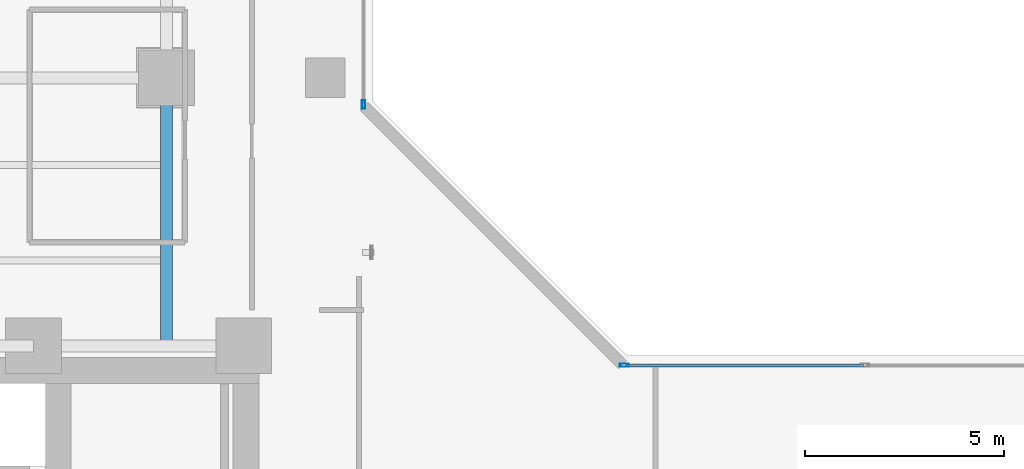
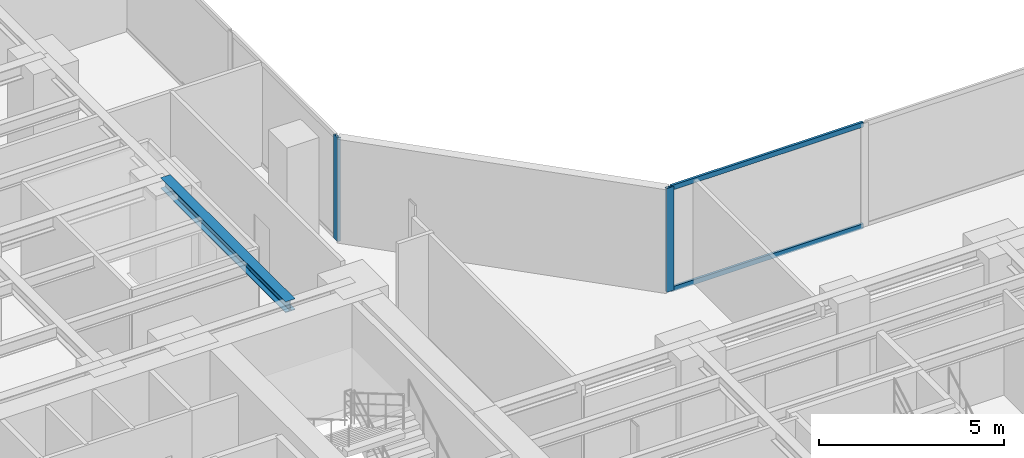
# One storey, part 9 of 25: 4 members, 1 beam, 2 elements without a shape of their own.
"""IFC4 building model written with IfcOpenShell, lengths in metres."""

import ifcopenshell
import ifcopenshell.guid

model = None  # the IFC model being written
_history = None  # IfcOwnerHistory: only IFC2X3 demands one
_inside = {}  # id of a spatial element -> (the spatial element, [elements in it])
_under = {}  # id of a project, library or spatial element -> (it, [spatial elements below it])
_declared = {}  # id of a project -> (the project, [libraries it declares])
_typed = {}  # id of a type object -> (the type object, [elements of that type])
_made_of = {}  # id of a material, layer set ... -> (it, [elements and type objects made of it])


def new_model(schema):
    """Start an empty IFC model of exactly this schema.

    Asked for "IFC4X3", IfcOpenShell would pick the latest addendum, in which some entities
    have other attributes; the version numbers below select the first issue.
    IFC2X3 requires an IfcOwnerHistory on every rooted entity: one is made here for all.
    """
    global model, _history
    if schema == "IFC4X3":
        model = ifcopenshell.file(schema_version=(4, 3, 0, 0))
    else:
        model = ifcopenshell.file(schema=schema)
    _inside.clear()
    _under.clear()
    _declared.clear()
    _typed.clear()
    _made_of.clear()
    _history = None
    if model.schema == "IFC2X3":
        org = make("IfcOrganization", Name="unknown")
        user = make(
            "IfcPersonAndOrganization",
            ThePerson=make("IfcPerson", FamilyName="unknown"),
            TheOrganization=org,
        )
        app = make(
            "IfcApplication",
            ApplicationDeveloper=org,
            Version="unknown",
            ApplicationFullName="unknown",
            ApplicationIdentifier="unknown",
        )
        _history = make(
            "IfcOwnerHistory",
            OwningUser=user,
            OwningApplication=app,
            ChangeAction="ADDED",
            CreationDate=0,
        )
    return model


def make(cls, **values):
    """One entity of the class cls with the attributes given. An attribute that is None is left unset."""
    return model.create_entity(
        cls, **{name: value for name, value in values.items() if value is not None}
    )


def rooted(cls, **values):
    """An entity with a GlobalId (a new one), such as an element, a storey or a relation."""
    return make(cls, GlobalId=ifcopenshell.guid.new(), OwnerHistory=_history, **values)


def si_unit(unit_type, name, prefix=None):
    """IfcSIUnit, for example si_unit("LENGTHUNIT", "METRE", prefix="MILLI")."""
    return make("IfcSIUnit", UnitType=unit_type, Prefix=prefix, Name=name)


def assignment(units):
    """IfcUnitAssignment: the units of a project."""
    return None if units is None else make("IfcUnitAssignment", Units=units)


def point(xyz):
    """IfcCartesianPoint."""
    return None if xyz is None else make("IfcCartesianPoint", Coordinates=xyz)


def direction(xyz):
    """IfcDirection."""
    return None if xyz is None else make("IfcDirection", DirectionRatios=xyz)


def frame(location, z_axis=None, x_axis=None):
    """IfcAxis2Placement3D, a coordinate frame: its origin and axes. An axis left out is left unset."""
    return make(
        "IfcAxis2Placement3D",
        Location=point(location),
        Axis=direction(z_axis),
        RefDirection=direction(x_axis),
    )


def frame_2d(location, x_axis=None):
    """IfcAxis2Placement2D, a coordinate frame in the plane: its origin and x axis."""
    return make(
        "IfcAxis2Placement2D", Location=point(location), RefDirection=direction(x_axis)
    )


def origin():
    """The frame at (0, 0, 0) with its axes left unset."""
    return frame((0.0, 0.0, 0.0))


def origin_with_axes():
    """The frame at (0, 0, 0) with the z axis (0, 0, 1) and the x axis (1, 0, 0) written out."""
    return frame((0.0, 0.0, 0.0), z_axis=(0.0, 0.0, 1.0), x_axis=(1.0, 0.0, 0.0))


def origin_2d():
    """The frame at (0, 0) in the plane with its x axis left unset."""
    return frame_2d((0.0, 0.0))


def place(relative_to, where):
    """IfcLocalPlacement: puts the frame where relative to a parent placement (None: the world)."""
    return make(
        "IfcLocalPlacement", PlacementRelTo=relative_to, RelativePlacement=where
    )


def context(
    kind, dimensions, precision=None, world=None, true_north=None, identifier=None
):
    """IfcGeometricRepresentationContext, for example the 3D "Model" context."""
    return make(
        "IfcGeometricRepresentationContext",
        ContextIdentifier=identifier,
        ContextType=kind,
        CoordinateSpaceDimension=dimensions,
        Precision=precision,
        WorldCoordinateSystem=world,
        TrueNorth=true_north,
    )


def subcontext(parent, identifier, kind, view, scale=None):
    """IfcGeometricRepresentationSubContext, for example "Body" below "Model"."""
    return make(
        "IfcGeometricRepresentationSubContext",
        ContextIdentifier=identifier,
        ContextType=kind,
        ParentContext=parent,
        TargetScale=scale,
        TargetView=view,
    )


def project(units=None, contexts=None):
    """IfcProject with its units and contexts."""
    return rooted(
        "IfcProject",
        Name="project",
        RepresentationContexts=contexts,
        UnitsInContext=assignment(units),
    )


def spatial(cls, under=None, at=None, **own):
    """A site, building, storey or space (cls), placed at a placement, below another one or the project."""
    s = rooted(cls, ObjectPlacement=at, **own)
    if under is not None:
        _under.setdefault(under.id(), (under, []))[1].append(s)
    return s


def profile(cls, at=None, kind="AREA", **sizes):
    """A parametric profile (cls). Its sizes go by their IFC names, for example OverallWidth=200.0."""
    return make(cls, ProfileType=kind, Position=at, **sizes)


def hollow_rectangle(**sizes):
    """IfcRectangleHollowProfileDef."""
    return profile("IfcRectangleHollowProfileDef", **sizes)


def i_section(**sizes):
    """IfcIShapeProfileDef."""
    return profile("IfcIShapeProfileDef", **sizes)


def extrude(swept, where, along, depth):
    """IfcExtrudedAreaSolid: the profile swept, set in the frame where, extruded along a direction by depth."""
    return make(
        "IfcExtrudedAreaSolid",
        SweptArea=swept,
        Position=where,
        ExtrudedDirection=direction(along),
        Depth=depth,
    )


def shape(context_of_items, identifier, shape_type, items):
    """IfcShapeRepresentation: the items that make up one representation, for example the "Body"."""
    return make(
        "IfcShapeRepresentation",
        ContextOfItems=context_of_items,
        RepresentationIdentifier=identifier,
        RepresentationType=shape_type,
        Items=items,
    )


def source(mapping_origin, context_of_items, identifier, shape_type, items):
    """IfcRepresentationMap: a shape defined once, which mapped items show again and again."""
    return make(
        "IfcRepresentationMap",
        MappingOrigin=mapping_origin,
        MappedRepresentation=shape(context_of_items, identifier, shape_type, items),
    )


def transform(
    local_origin,
    x_axis=None,
    y_axis=None,
    z_axis=None,
    scale=None,
    scale2=None,
    scale3=None,
    uniform=True,
):
    """IfcCartesianTransformationOperator3D, or its non-uniform kind. x_axis, y_axis, z_axis: its Axis1, 2, 3."""
    if uniform:
        return make(
            "IfcCartesianTransformationOperator3D",
            Axis1=direction(x_axis),
            Axis2=direction(y_axis),
            LocalOrigin=point(local_origin),
            Scale=scale,
            Axis3=direction(z_axis),
        )
    return make(
        "IfcCartesianTransformationOperator3DnonUniform",
        Axis1=direction(x_axis),
        Axis2=direction(y_axis),
        LocalOrigin=point(local_origin),
        Scale=scale,
        Axis3=direction(z_axis),
        Scale2=scale2,
        Scale3=scale3,
    )


def mapped(mapping_source, mapping_target):
    """IfcMappedItem: shows the shape of a source again, moved by a transform."""
    return make(
        "IfcMappedItem", MappingSource=mapping_source, MappingTarget=mapping_target
    )


def material(Name=None, Category=None):
    """IfcMaterial."""
    return make("IfcMaterial", Name=Name, Category=Category)


def layer(
    of_material, thickness, ventilated=None, Name=None, Category=None, Priority=None
):
    """IfcMaterialLayer: one layer of a wall or slab, of a material (None: an air gap)."""
    return make(
        "IfcMaterialLayer",
        Material=of_material,
        LayerThickness=thickness,
        IsVentilated=ventilated,
        Name=Name,
        Category=Category,
        Priority=Priority,
    )


def layer_set(layers, Name=None):
    """IfcMaterialLayerSet."""
    return make("IfcMaterialLayerSet", MaterialLayers=layers, LayerSetName=Name)


def material_profile(
    of_material, cross_section, Name=None, Category=None, Priority=None
):
    """IfcMaterialProfile: a cross section and its material."""
    return make(
        "IfcMaterialProfile",
        Name=Name,
        Material=of_material,
        Profile=cross_section,
        Priority=Priority,
        Category=Category,
    )


def profile_set(profiles, Name=None, composite=None):
    """IfcMaterialProfileSet."""
    return make(
        "IfcMaterialProfileSet",
        Name=Name,
        MaterialProfiles=profiles,
        CompositeProfile=composite,
    )


def made_of(thing, what):
    """Note that an element or type object is made of a material, layer set ...; save() writes the relation."""
    if what is not None:
        _made_of.setdefault(what.id(), (what, []))[1].append(thing)
    return thing


def type_object(cls, material=None, **own):
    """A type object (cls), such as IfcWallType, which elements share."""
    return made_of(rooted(cls, **own), material)


def element(
    cls,
    number,
    at=None,
    inside=None,
    cuts=None,
    type_object=None,
    material=None,
    context=None,
    identifier="Body",
    shape_type=None,
    held_by="IfcProductDefinitionShape",
    body=None,
    shapes=None,
    **own,
):
    """One element of the class cls, such as IfcWall. Its Tag is "e" and its number.

    at: its placement. inside: the storey or other place that contains it. cuts: it is an
    opening in that element (IfcRelVoidsElement). A single representation is given by context,
    identifier, shape_type and body (its items); several are given by shapes. held_by: the class
    of the entity that holds the representations. save() writes the other relations.
    """
    e = rooted(cls, Tag="e%d" % number, ObjectPlacement=at, **own)
    if body is not None:
        shapes = [shape(context, identifier, shape_type, body)]
    if shapes is not None:
        e.Representation = make(held_by, Representations=shapes)
    if inside is not None:
        _inside.setdefault(inside.id(), (inside, []))[1].append(e)
    if cuts is not None:
        rooted(
            "IfcRelVoidsElement", RelatingBuildingElement=cuts, RelatedOpeningElement=e
        )
    if type_object is not None:
        _typed.setdefault(type_object.id(), (type_object, []))[1].append(e)
    return made_of(e, material)


def aggregate(whole, parts):
    """IfcRelAggregates: a whole, such as a stair, and the parts it consists of."""
    return rooted("IfcRelAggregates", RelatingObject=whole, RelatedObjects=parts)


def save(model, path):
    """Write the relations noted so far, then the file.

    IfcRelAggregates (storeys below a building ...), IfcRelContainedInSpatialStructure (elements
    in a storey), IfcRelDefinesByType, IfcRelAssociatesMaterial and IfcRelDeclares: one each for
    every whole, place, type object, material and project.
    """
    for whole, parts in _under.values():
        aggregate(whole, parts)
    for where, things in _inside.values():
        rooted(
            "IfcRelContainedInSpatialStructure",
            RelatedElements=things,
            RelatingStructure=where,
        )
    for kind, things in _typed.values():
        rooted("IfcRelDefinesByType", RelatedObjects=things, RelatingType=kind)
    for what, things in _made_of.values():
        rooted("IfcRelAssociatesMaterial", RelatedObjects=things, RelatingMaterial=what)
    for by, libraries in _declared.values():
        rooted("IfcRelDeclares", RelatingContext=by, RelatedDefinitions=libraries)
    model.write(path)


model = new_model("IFC4")

# Units and contexts
model_context = context("Model", 3, precision=1e-05, world=origin(), true_north=direction((0.0, 1.0)))
body_context = subcontext(model_context, "Body", "Model", "MODEL_VIEW")
ifc_project = project(units=[si_unit("LENGTHUNIT", "METRE"), si_unit("AREAUNIT", "SQUARE_METRE"), si_unit("VOLUMEUNIT", "CUBIC_METRE"), si_unit("PLANEANGLEUNIT", "RADIAN"), si_unit("MASSUNIT", "GRAM", prefix="KILO")], contexts=[model_context])

# Site, building, storey
site_placement = place(None, origin())
site = spatial("IfcSite", under=ifc_project, at=site_placement, CompositionType="ELEMENT")
building_placement = place(site_placement, origin())
building = spatial("IfcBuilding", under=site, at=building_placement, Name="Kolvaren Waterfront Exchange", CompositionType="ELEMENT")
storey_placement = place(building_placement, frame((0.0, 0.0, 137.300048828125)))
storey = spatial("IfcBuildingStorey", under=building, at=storey_placement, Name="L35", CompositionType="ELEMENT", Elevation=137.300048828125)

# Beam
ifc_material_1 = material(Name="Steel S355", Category="steel")
ifc_material_profile_1 = material_profile(ifc_material_1, i_section(OverallWidth=0.300048828125, OverallDepth=0.360107421875, WebThickness=0.012451171875, FlangeThickness=0.0224609375, FilletRadius=0.027099609375, at=origin_2d()), Name="HEB360")
ifc_profile_set_1 = profile_set([ifc_material_profile_1], Name="Steel S355")
beam_type = type_object("IfcBeamType", Name="STR-BM-HEB360", PredefinedType="SPANDREL", material=ifc_profile_set_1)
beam_placement = place(storey_placement, frame((18.800048828125, 24.449951171875, 3.239990234375), z_axis=(0.0, 1.0, 0.0), x_axis=(-1.0, 0.0, 0.0)))
element("IfcBeam", 1, at=beam_placement, inside=storey, type_object=beam_type, Name="L35 north-arm edge beam 1", PredefinedType="SPANDREL", context=body_context, shape_type="SweptSolid", body=[
    extrude(i_section(OverallWidth=0.300048828125, OverallDepth=0.360107421875, WebThickness=0.012451171875, FlangeThickness=0.0224609375, FilletRadius=0.027099609375, at=origin_2d()), origin(), (0.0, 0.0, 1.0), 6.75),
])

# Curtain wall, member
ifc_material_2 = material(Name="Anodised bronze aluminium 6063-T6", Category="aluminium")
ifc_layer = layer(ifc_material_2, 0.219970703125, Name="Anodised bronze aluminium 6063-T6")
ifc_layer_set = layer_set([ifc_layer], Name="Anodised bronze aluminium 6063-T6")
curtain_wall_type = type_object("IfcCurtainWallType", Name="ARC-CW-SYS1", PredefinedType="USERDEFINED", material=ifc_layer_set)
curtain_wall_1_placement = place(storey_placement, origin())
curtain_wall_1 = element("IfcCurtainWall", 2, at=curtain_wall_1_placement, inside=storey, type_object=curtain_wall_type, Name="L35 stick curtain wall CW1 (CW-L35-NE)", ObjectType="STICK CURTAIN WALL", PredefinedType="USERDEFINED")
ifc_material_3 = material(Name="Anodised aluminium 6063-T6", Category="aluminium")
ifc_material_profile_2 = material_profile(ifc_material_3, hollow_rectangle(XDim=0.080078125, YDim=0.219970703125, WallThickness=0.0048828125, at=origin_2d()), Name="ALU-MUL-220x80x5")
ifc_profile_set_2 = profile_set([ifc_material_profile_2], Name="Anodised aluminium 6063-T6")
member_type_1 = type_object("IfcMemberType", Name="ARC-CWM-220", PredefinedType="MULLION", material=ifc_profile_set_2)
shared_shape_1 = source(origin_with_axes(), body_context, "Body", "SweptSolid", [
    extrude(hollow_rectangle(XDim=0.080078125, YDim=0.219970703125, WallThickness=0.0048828125, at=origin_2d()), origin(), (0.0, 0.0, 1.0), 3.419921875),
])
member_1_placement = place(storey_placement, frame((23.760009765625, 30.530029296875, 0.0), z_axis=(0.0, 0.0, 1.0), x_axis=(-1.0, 0.0, 0.0)))
member_1 = element("IfcMember", 3, at=member_1_placement, type_object=member_type_1, Name="CW1 mullion 1", PredefinedType="MULLION", context=body_context, shape_type="MappedRepresentation", body=[
    mapped(shared_shape_1, transform((0.0, 0.0, 0.0), x_axis=(1.0, 0.0, 0.0), y_axis=(0.0, 1.0, 0.0), z_axis=(0.0, 0.0, 1.0), scale=1.0)),
])
aggregate(curtain_wall_1, [member_1])

# Curtain wall, members
curtain_wall_2_placement = place(storey_placement, origin())
curtain_wall_2 = element("IfcCurtainWall", 4, at=curtain_wall_2_placement, inside=storey, type_object=curtain_wall_type, Name="L35 stick curtain wall CW1 (CW-L35-EN)", ObjectType="STICK CURTAIN WALL", PredefinedType="USERDEFINED")
member_2_placement = place(storey_placement, frame((30.330078125, 23.9599609375, 0.0), z_axis=(0.0, 0.0, 1.0), x_axis=(0.0, 1.0, 0.0)))
member_2 = element("IfcMember", 5, at=member_2_placement, type_object=member_type_1, Name="CW1 mullion 1", PredefinedType="MULLION", context=body_context, shape_type="MappedRepresentation", body=[
    mapped(shared_shape_1, transform((0.0, 0.0, 0.0), x_axis=(1.0, 0.0, 0.0), y_axis=(0.0, 1.0, 0.0), z_axis=(0.0, 0.0, 1.0), scale=1.0)),
])
ifc_material_profile_3 = material_profile(ifc_material_3, hollow_rectangle(XDim=0.074951171875, YDim=0.159912109375, WallThickness=0.00439453125, at=origin_2d()), Name="ALU-TRN-160x75x4.5")
ifc_profile_set_3 = profile_set([ifc_material_profile_3], Name="Anodised aluminium 6063-T6")
member_type_2 = type_object("IfcMemberType", Name="ARC-CWT-160", PredefinedType="USERDEFINED", material=ifc_profile_set_3)
shared_shape_2 = source(origin_with_axes(), body_context, "Body", "SweptSolid", [
    extrude(hollow_rectangle(XDim=0.074951171875, YDim=0.159912109375, WallThickness=0.00439453125, at=origin_2d()), origin(), (0.0, 0.0, 1.0), 5.982421875),
])
member_3_placement = place(storey_placement, frame((30.3701171875, 23.9599609375, 0.037353515625), z_axis=(1.0, 0.0, 0.0), x_axis=(0.0, 1.0, 0.0)))
member_3 = element("IfcMember", 6, at=member_3_placement, type_object=member_type_2, Name="CW1 transom 1.1", ObjectType="TRANSOM", PredefinedType="USERDEFINED", context=body_context, shape_type="MappedRepresentation", body=[
    mapped(shared_shape_2, transform((0.0, 0.0, 0.0), x_axis=(1.0, 0.0, 0.0), y_axis=(0.0, 1.0, 0.0), z_axis=(0.0, 0.0, 1.0), scale=1.0)),
])
member_4_placement = place(storey_placement, frame((30.3701171875, 23.9599609375, 3.382568359375), z_axis=(1.0, 0.0, 0.0), x_axis=(0.0, 1.0, 0.0)))
member_4 = element("IfcMember", 7, at=member_4_placement, type_object=member_type_2, Name="CW1 transom 1.2", ObjectType="TRANSOM", PredefinedType="USERDEFINED", context=body_context, shape_type="MappedRepresentation", body=[
    mapped(shared_shape_2, transform((0.0, 0.0, 0.0), x_axis=(1.0, 0.0, 0.0), y_axis=(0.0, 1.0, 0.0), z_axis=(0.0, 0.0, 1.0), scale=1.0)),
])
aggregate(curtain_wall_2, [member_2, member_3, member_4])

save(model, "model.ifc")
